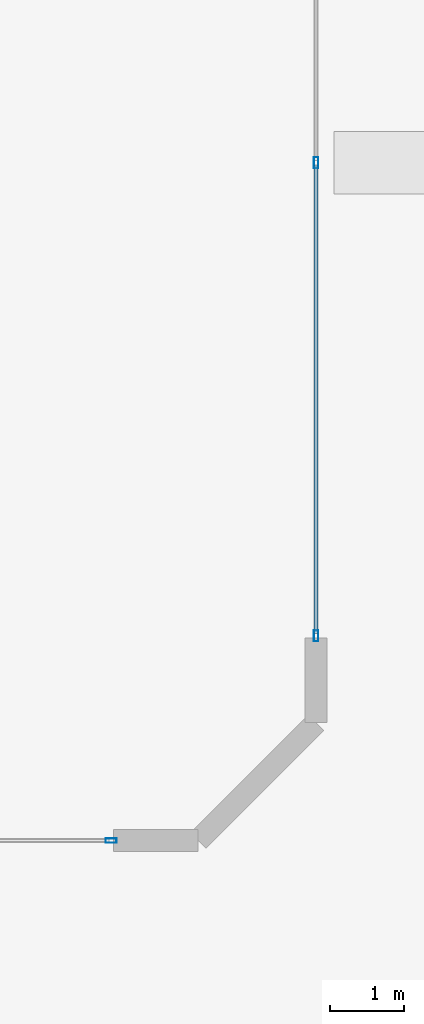
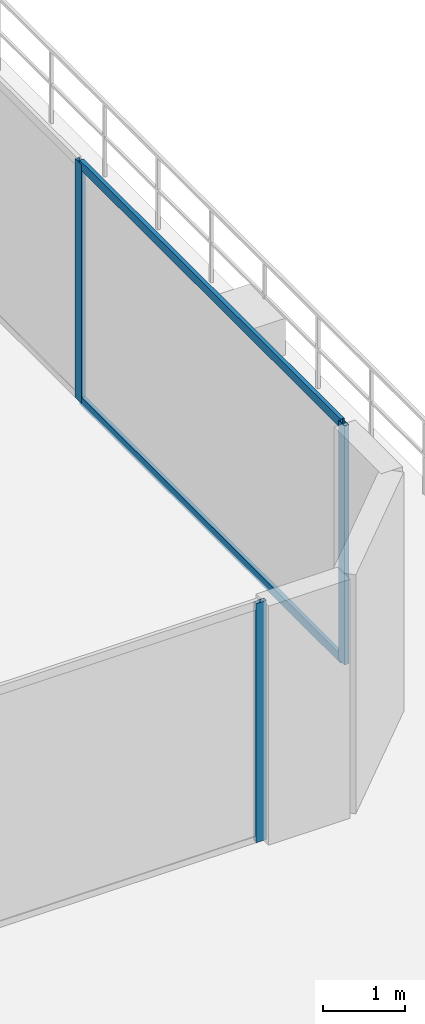
# One storey, part 6 of 12: 5 members, 2 elements without a shape of their own.
"""IFC4 building model written with IfcOpenShell, lengths in metres."""

from ifc_helpers import new_model, si_unit, direction, frame, origin, origin_2d, place, context, subcontext, project, spatial, hollow_rectangle, extrude, material, layer, layer_set, material_profile, profile_set, type_object, element, aggregate, save


model = new_model("IFC4")

# Units and contexts
model_context = context("Model", 3, precision=1e-05, world=origin(), true_north=direction((0.0, 1.0)))
body_context = subcontext(model_context, "Body", "Model", "MODEL_VIEW")
ifc_project = project(units=[si_unit("LENGTHUNIT", "METRE"), si_unit("AREAUNIT", "SQUARE_METRE"), si_unit("VOLUMEUNIT", "CUBIC_METRE"), si_unit("PLANEANGLEUNIT", "RADIAN"), si_unit("MASSUNIT", "GRAM", prefix="KILO")], contexts=[model_context])

# Site, building, storey
site_placement = place(None, origin())
site = spatial("IfcSite", under=ifc_project, at=site_placement, CompositionType="ELEMENT")
building_placement = place(site_placement, origin())
building = spatial("IfcBuilding", under=site, at=building_placement, Name="Zuhayl Quay Hotel", CompositionType="ELEMENT")
storey_placement = place(building_placement, frame((0.0, 0.0, 312.449951171875)))
storey = spatial("IfcBuildingStorey", under=building, at=storey_placement, Name="Crown 5", CompositionType="ELEMENT", Elevation=312.449951171875)

# Curtain wall, members
ifc_material_1 = material(Name="Anodised Aluminium 6063-T6", Category="aluminium")
ifc_layer = layer(ifc_material_1, 0.159912109375, Name="Anodised Aluminium 6063-T6", Category="aluminium")
ifc_layer_set = layer_set([ifc_layer], Name="Anodised Aluminium 6063-T6")
curtain_wall_type = type_object("IfcCurtainWallType", Name="CW_SYS_CRN", PredefinedType="USERDEFINED", material=ifc_layer_set)
curtain_wall_1_placement = place(storey_placement, origin())
curtain_wall_1 = element("IfcCurtainWall", 1, at=curtain_wall_1_placement, inside=storey, type_object=curtain_wall_type, Name="Crown 5 Curtain Wall ENV_CR5_E5_CW1", ObjectType="UNITISED CURTAIN WALL", PredefinedType="USERDEFINED")
ifc_material_2 = material(Name="Black-anodised aluminium 6063-T6", Category="aluminium")
ifc_material_profile_1 = material_profile(ifc_material_2, hollow_rectangle(XDim=0.06005859375, YDim=0.14990234375, WallThickness=0.00341796875, at=origin_2d()), Name="ALU150X60")
ifc_profile_set_1 = profile_set([ifc_material_profile_1], Name="Black-anodised aluminium 6063-T6")
member_type_1 = type_object("IfcMemberType", Name="MB_CW_MUL_150", PredefinedType="MULLION", material=ifc_profile_set_1)
member_1_placement = place(storey_placement, frame((6.60009765625, 28.39990234375, 0.0), z_axis=(0.0, 0.0, 1.0), x_axis=(1.0, 0.0, 0.0)))
member_1 = element("IfcMember", 2, at=member_1_placement, type_object=member_type_1, Name="CW-CRN mullion 2", PredefinedType="MULLION", context=body_context, shape_type="SweptSolid", body=[
    extrude(hollow_rectangle(XDim=0.06005859375, YDim=0.14990234375, WallThickness=0.00341796875, at=origin_2d()), origin(), (0.0, 0.0, 1.0), 3.56005859375),
])
member_2_placement = place(storey_placement, frame((6.60009765625, 21.97998046875, 0.0), z_axis=(0.0, 0.0, 1.0), x_axis=(1.0, 0.0, 0.0)))
member_2 = element("IfcMember", 3, at=member_2_placement, type_object=member_type_1, Name="CW-CRN mullion 3", PredefinedType="MULLION", context=body_context, shape_type="SweptSolid", body=[
    extrude(hollow_rectangle(XDim=0.06005859375, YDim=0.14990234375, WallThickness=0.00341796875, at=origin_2d()), origin(), (0.0, 0.0, 1.0), 3.56005859375),
])

# Curtain wall, member
curtain_wall_2_placement = place(storey_placement, origin())
curtain_wall_2 = element("IfcCurtainWall", 4, at=curtain_wall_2_placement, inside=storey, type_object=curtain_wall_type, Name="Crown 5 Curtain Wall ENV_CR5_E7_CW1", ObjectType="UNITISED CURTAIN WALL", PredefinedType="USERDEFINED")
member_3_placement = place(storey_placement, frame((3.820068359375, 19.199951171875, 0.0), z_axis=(0.0, 0.0, 1.0), x_axis=(0.0, -1.0, 0.0)))
member_3 = element("IfcMember", 5, at=member_3_placement, type_object=member_type_1, Name="CW-CRN mullion 1", PredefinedType="MULLION", context=body_context, shape_type="SweptSolid", body=[
    extrude(hollow_rectangle(XDim=0.06005859375, YDim=0.14990234375, WallThickness=0.00341796875, at=origin_2d()), origin(), (0.0, 0.0, 1.0), 3.56005859375),
])
aggregate(curtain_wall_2, [member_3])

# Member
ifc_material_profile_2 = material_profile(ifc_material_2, hollow_rectangle(XDim=0.054931640625, YDim=0.1298828125, WallThickness=0.0029296875, at=origin_2d()), Name="ALU130X55")
ifc_profile_set_2 = profile_set([ifc_material_profile_2], Name="Black-anodised aluminium 6063-T6")
member_type_2 = type_object("IfcMemberType", Name="MB_CW_TRN_130", PredefinedType="USERDEFINED", material=ifc_profile_set_2)
member_4_placement = place(storey_placement, frame((6.60009765625, 28.3701171875, 0.027587890625), z_axis=(0.0, -1.0, 0.0), x_axis=(1.0, 0.0, 0.0)))
member_4 = element("IfcMember", 6, at=member_4_placement, type_object=member_type_2, Name="CW-CRN transom 2.1", ObjectType="TRANSOM", PredefinedType="USERDEFINED", context=body_context, shape_type="SweptSolid", body=[
    extrude(hollow_rectangle(XDim=0.054931640625, YDim=0.1298828125, WallThickness=0.0029296875, at=origin_2d()), origin(), (0.0, 0.0, 1.0), 6.360107421875),
])

member_5_placement = place(storey_placement, frame((6.60009765625, 28.3701171875, 3.532470703125), z_axis=(0.0, -1.0, 0.0), x_axis=(1.0, 0.0, 0.0)))
member_5 = element("IfcMember", 7, at=member_5_placement, type_object=member_type_2, Name="CW-CRN transom 2.2", ObjectType="TRANSOM", PredefinedType="USERDEFINED", context=body_context, shape_type="SweptSolid", body=[
    extrude(hollow_rectangle(XDim=0.054931640625, YDim=0.1298828125, WallThickness=0.0029296875, at=origin_2d()), origin(), (0.0, 0.0, 1.0), 6.360107421875),
])

aggregate(curtain_wall_1, [member_1, member_2, member_4, member_5])

save(model, "model.ifc")
